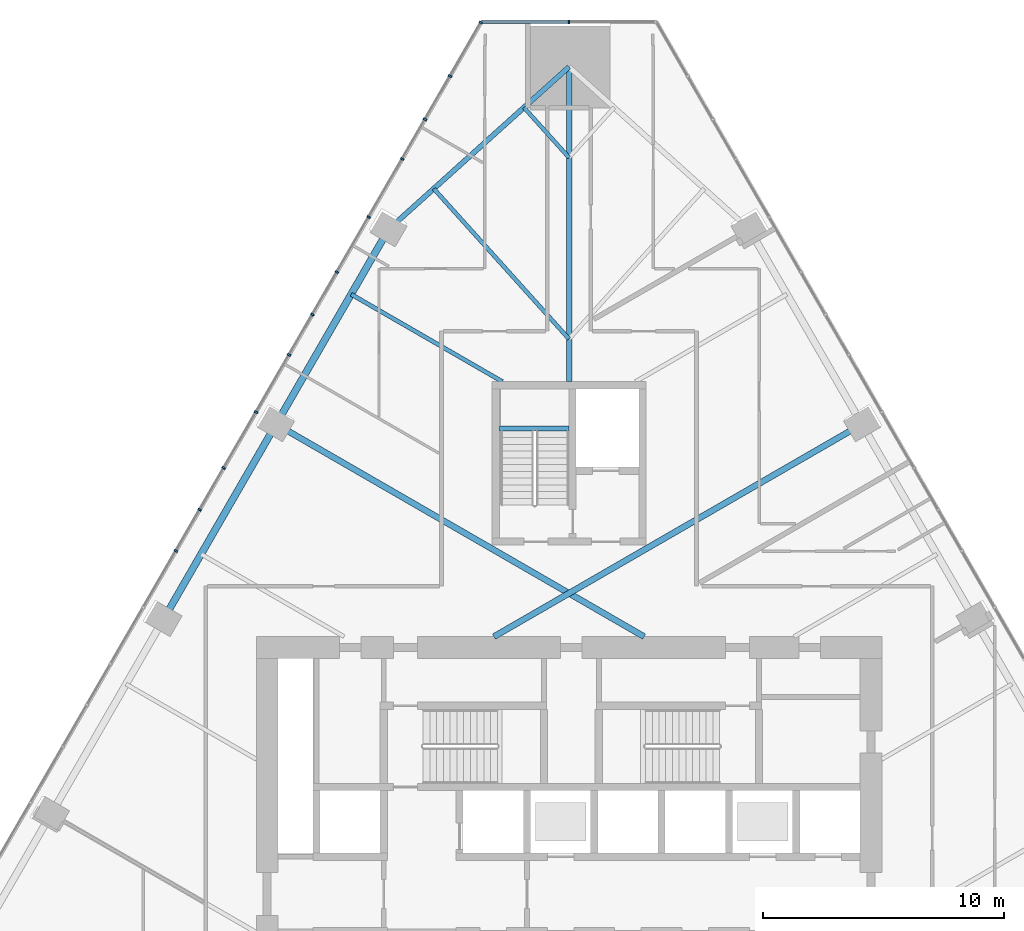
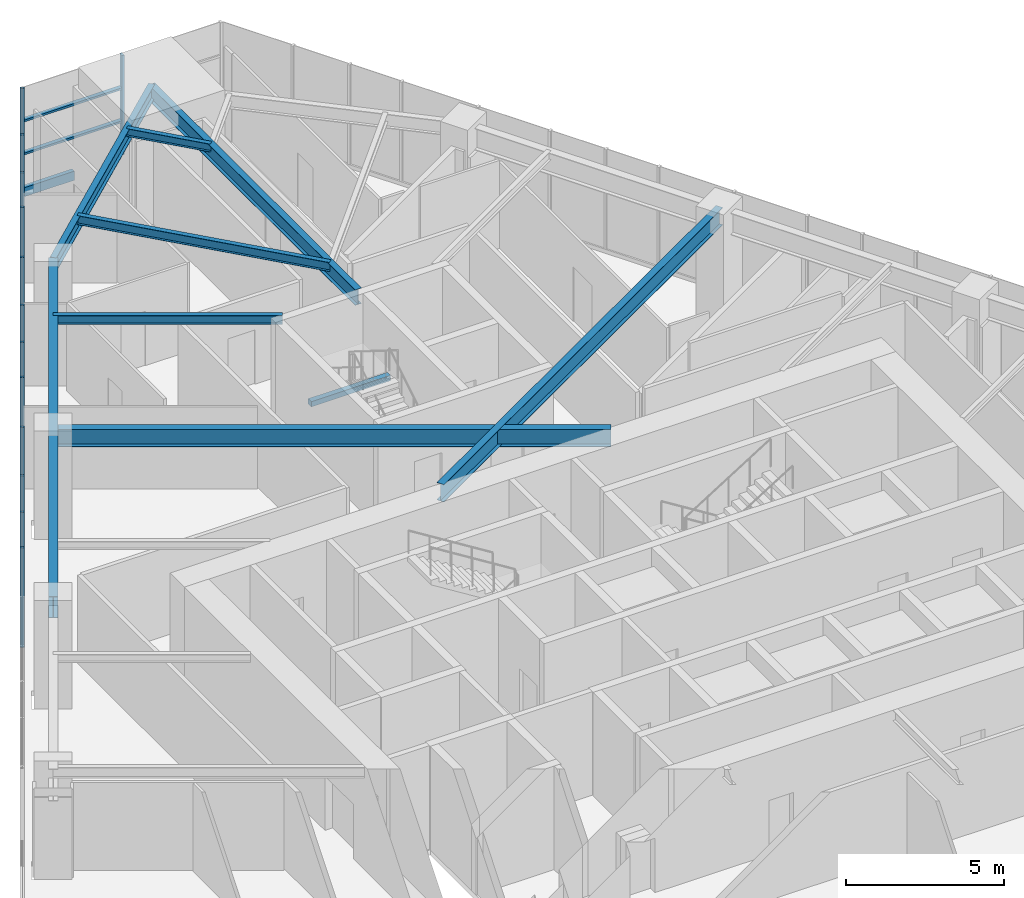
# One storey, part 9 of 19: 16 members, 9 beams, 2 elements without a shape of their own.
"""IFC4 building model written with IfcOpenShell, lengths in metres."""

from ifc_helpers import new_model, si_unit, direction, frame, origin, origin_2d, place, context, subcontext, project, spatial, rectangle, i_section, extrude, material, layer, layer_set, material_profile, profile_set, type_object, element, aggregate, save


model = new_model("IFC4")

# Units and contexts
model_context = context("Model", 3, precision=1e-05, world=origin(), true_north=direction((0.0, 1.0)))
body_context = subcontext(model_context, "Body", "Model", "MODEL_VIEW")
ifc_project = project(units=[si_unit("LENGTHUNIT", "METRE"), si_unit("AREAUNIT", "SQUARE_METRE"), si_unit("VOLUMEUNIT", "CUBIC_METRE"), si_unit("PLANEANGLEUNIT", "RADIAN"), si_unit("MASSUNIT", "GRAM", prefix="KILO")], contexts=[model_context])

# Site, building, storey
site_placement = place(None, origin())
site = spatial("IfcSite", under=ifc_project, at=site_placement, CompositionType="ELEMENT")
building_placement = place(site_placement, origin())
building = spatial("IfcBuilding", under=site, at=building_placement, Name="Firuza Gate Tower and Library", CompositionType="ELEMENT")
storey_placement = place(building_placement, frame((0.0, 0.0, 103.0)))
storey = spatial("IfcBuildingStorey", under=building, at=storey_placement, Name="L23", CompositionType="ELEMENT", Elevation=103.0)

# Curtain wall, member
ifc_material_1 = material(Name="Aluminium 6063-T6", Category="aluminium")
ifc_layer_1 = layer(ifc_material_1, 0.14990234375)
ifc_layer_set_1 = layer_set([ifc_layer_1], Name="Corner curtain wall, chamfers")
curtain_wall_type_1 = type_object("IfcCurtainWallType", Name="Corner curtain wall, chamfers", PredefinedType="NOTDEFINED", material=ifc_layer_set_1)
placement = place(storey_placement, origin())
curtain_wall_1 = element("IfcCurtainWall", 1, at=placement, inside=storey, type_object=curtain_wall_type_1, Name="CW4 L23 N corner", PredefinedType="NOTDEFINED")
ifc_material_2 = material(Name="Aluminium 6063-T6", Category="aluminium")
ifc_material_profile_1 = material_profile(ifc_material_2, rectangle(XDim=0.14990234375, YDim=0.080078125, at=origin_2d()))
ifc_profile_set_1 = profile_set([ifc_material_profile_1], Name="Aluminium 6063-T6")
member_type_1 = type_object("IfcMemberType", Name="Curtain wall mullion 80x150", PredefinedType="MULLION", material=ifc_profile_set_1)
member_1_placement = place(storey_placement, frame((75.0, 109.557373046875, 0.14990234375), z_axis=(0.0, 0.0, 1.0), x_axis=(0.0, -1.0, 0.0)))
member_1 = element("IfcMember", 2, at=member_1_placement, type_object=member_type_1, Name="Mullion", PredefinedType="MULLION", context=body_context, shape_type="SweptSolid", body=[
    extrude(rectangle(XDim=0.14990234375, YDim=0.080078125, at=origin_2d()), origin(), (0.0, 0.0, 1.0), 3.85009765625),
])

# Curtain wall, members
ifc_material_3 = material(Name="Aluminium 6063-T6", Category="aluminium")
ifc_layer_2 = layer(ifc_material_3, 0.14990234375)
ifc_layer_set_2 = layer_set([ifc_layer_2], Name="Unitised curtain wall, offices")
curtain_wall_type_2 = type_object("IfcCurtainWallType", Name="Unitised curtain wall, offices", PredefinedType="NOTDEFINED", material=ifc_layer_set_2)
curtain_wall_2 = element("IfcCurtainWall", 3, at=placement, inside=storey, type_object=curtain_wall_type_2, Name="CW1 L23 W face", PredefinedType="NOTDEFINED")
member_2_placement = place(storey_placement, frame((71.336669921875, 109.522705078125, 0.14990234375), z_axis=(0.0, 0.0, 1.0), x_axis=(0.866025403784, -0.5, 0.0)))
member_2 = element("IfcMember", 4, at=member_2_placement, type_object=member_type_1, Name="Mullion", PredefinedType="MULLION", context=body_context, shape_type="SweptSolid", body=[
    extrude(rectangle(XDim=0.14990234375, YDim=0.080078125, at=origin_2d()), origin(), (0.0, 0.0, 1.0), 3.85009765625),
])
member_3_placement = place(storey_placement, frame((69.0146484375, 105.500732421875, 0.14990234375), z_axis=(0.0, 0.0, 1.0), x_axis=(0.866025403784, -0.5, 0.0)))
member_3 = element("IfcMember", 5, at=member_3_placement, type_object=member_type_1, Name="Mullion", PredefinedType="MULLION", context=body_context, shape_type="SweptSolid", body=[
    extrude(rectangle(XDim=0.14990234375, YDim=0.080078125, at=origin_2d()), origin(), (0.0, 0.0, 1.0), 3.85009765625),
])
member_4_placement = place(storey_placement, frame((66.67236328125, 101.44384765625, 0.14990234375), z_axis=(0.0, 0.0, 1.0), x_axis=(0.866025403784, -0.5, 0.0)))
member_4 = element("IfcMember", 6, at=member_4_placement, type_object=member_type_1, Name="Mullion", PredefinedType="MULLION", context=body_context, shape_type="SweptSolid", body=[
    extrude(rectangle(XDim=0.14990234375, YDim=0.080078125, at=origin_2d()), origin(), (0.0, 0.0, 1.0), 3.85009765625),
])
member_5_placement = place(storey_placement, frame((64.330322265625, 97.38720703125, 0.14990234375), z_axis=(0.0, 0.0, 1.0), x_axis=(0.866025403784, -0.5, 0.0)))
member_5 = element("IfcMember", 7, at=member_5_placement, type_object=member_type_1, Name="Mullion", PredefinedType="MULLION", context=body_context, shape_type="SweptSolid", body=[
    extrude(rectangle(XDim=0.14990234375, YDim=0.080078125, at=origin_2d()), origin(), (0.0, 0.0, 1.0), 3.85009765625),
])
member_6_placement = place(storey_placement, frame((61.988037109375, 93.330322265625, 0.14990234375), z_axis=(0.0, 0.0, 1.0), x_axis=(0.866025403784, -0.5, 0.0)))
member_6 = element("IfcMember", 8, at=member_6_placement, type_object=member_type_1, Name="Mullion", PredefinedType="MULLION", context=body_context, shape_type="SweptSolid", body=[
    extrude(rectangle(XDim=0.14990234375, YDim=0.080078125, at=origin_2d()), origin(), (0.0, 0.0, 1.0), 3.85009765625),
])
member_7_placement = place(storey_placement, frame((59.64599609375, 89.273681640625, 0.14990234375), z_axis=(0.0, 0.0, 1.0), x_axis=(0.866025403784, -0.5, 0.0)))
member_7 = element("IfcMember", 9, at=member_7_placement, type_object=member_type_1, Name="Mullion", PredefinedType="MULLION", context=body_context, shape_type="SweptSolid", body=[
    extrude(rectangle(XDim=0.14990234375, YDim=0.080078125, at=origin_2d()), origin(), (0.0, 0.0, 1.0), 3.85009765625),
])
member_8_placement = place(storey_placement, frame((70.05224609375, 107.298095703125, 0.14990234375), z_axis=(0.0, 0.0, 1.0), x_axis=(0.866025403784, -0.5, 0.0)))
member_8 = element("IfcMember", 10, at=member_8_placement, type_object=member_type_1, Name="Mullion", PredefinedType="MULLION", context=body_context, shape_type="SweptSolid", body=[
    extrude(rectangle(XDim=0.14990234375, YDim=0.080078125, at=origin_2d()), origin(), (0.0, 0.0, 1.0), 3.85009765625),
])
member_9_placement = place(storey_placement, frame((68.0634765625, 103.853515625, 0.14990234375), z_axis=(0.0, 0.0, 1.0), x_axis=(0.866025403784, -0.5, 0.0)))
member_9 = element("IfcMember", 11, at=member_9_placement, type_object=member_type_1, Name="Mullion", PredefinedType="MULLION", context=body_context, shape_type="SweptSolid", body=[
    extrude(rectangle(XDim=0.14990234375, YDim=0.080078125, at=origin_2d()), origin(), (0.0, 0.0, 1.0), 3.85009765625),
])
member_10_placement = place(storey_placement, frame((65.3505859375, 99.154541015625, 0.14990234375), z_axis=(0.0, 0.0, 1.0), x_axis=(0.866025403784, -0.5, 0.0)))
member_10 = element("IfcMember", 12, at=member_10_placement, type_object=member_type_1, Name="Mullion", PredefinedType="MULLION", context=body_context, shape_type="SweptSolid", body=[
    extrude(rectangle(XDim=0.14990234375, YDim=0.080078125, at=origin_2d()), origin(), (0.0, 0.0, 1.0), 3.85009765625),
])
member_11_placement = place(storey_placement, frame((63.36181640625, 95.7099609375, 0.14990234375), z_axis=(0.0, 0.0, 1.0), x_axis=(0.866025403784, -0.5, 0.0)))
member_11 = element("IfcMember", 13, at=member_11_placement, type_object=member_type_1, Name="Mullion", PredefinedType="MULLION", context=body_context, shape_type="SweptSolid", body=[
    extrude(rectangle(XDim=0.14990234375, YDim=0.080078125, at=origin_2d()), origin(), (0.0, 0.0, 1.0), 3.85009765625),
])
member_12_placement = place(storey_placement, frame((60.64892578125, 91.010986328125, 0.14990234375), z_axis=(0.0, 0.0, 1.0), x_axis=(0.866025403784, -0.5, 0.0)))
member_12 = element("IfcMember", 14, at=member_12_placement, type_object=member_type_1, Name="Mullion", PredefinedType="MULLION", context=body_context, shape_type="SweptSolid", body=[
    extrude(rectangle(XDim=0.14990234375, YDim=0.080078125, at=origin_2d()), origin(), (0.0, 0.0, 1.0), 3.85009765625),
])
member_13_placement = place(storey_placement, frame((58.66015625, 87.56640625, 0.14990234375), z_axis=(0.0, 0.0, 1.0), x_axis=(0.866025403784, -0.5, 0.0)))
member_13 = element("IfcMember", 15, at=member_13_placement, type_object=member_type_1, Name="Mullion", PredefinedType="MULLION", context=body_context, shape_type="SweptSolid", body=[
    extrude(rectangle(XDim=0.14990234375, YDim=0.080078125, at=origin_2d()), origin(), (0.0, 0.0, 1.0), 3.85009765625),
])
aggregate(curtain_wall_2, [member_2, member_3, member_4, member_5, member_6, member_7, member_8, member_9, member_10, member_11, member_12, member_13])

# Member
ifc_material_4 = material(Name="Aluminium 6063-T6", Category="aluminium")
ifc_material_profile_2 = material_profile(ifc_material_4, rectangle(XDim=0.14990234375, YDim=0.35009765625, at=origin_2d()))
ifc_profile_set_2 = profile_set([ifc_material_profile_2], Name="Aluminium 6063-T6")
member_type_2 = type_object("IfcMemberType", Name="Curtain wall transom 350x150", PredefinedType="USERDEFINED", material=ifc_profile_set_2)
member_14_placement = place(storey_placement, frame((73.22021484375, 109.557373046875, -0.02490234375), z_axis=(-1.0, 0.0, 0.0), x_axis=(0.0, -1.0, 0.0)))
member_14 = element("IfcMember", 16, at=member_14_placement, type_object=member_type_2, Name="Transom", ObjectType="TRANSOM", PredefinedType="USERDEFINED", context=body_context, shape_type="SweptSolid", body=[
    extrude(rectangle(XDim=0.14990234375, YDim=0.35009765625, at=origin_2d()), origin(), (0.0, 0.0, 1.0), 1.863525390625),
])

ifc_material_5 = material(Name="Aluminium 6063-T6", Category="aluminium")
ifc_material_profile_3 = material_profile(ifc_material_5, rectangle(XDim=0.14990234375, YDim=0.080078125, at=origin_2d()))
ifc_profile_set_3 = profile_set([ifc_material_profile_3], Name="Aluminium 6063-T6")
member_type_3 = type_object("IfcMemberType", Name="Curtain wall transom 80x150", PredefinedType="USERDEFINED", material=ifc_profile_set_3)
member_15_placement = place(storey_placement, frame((74.9599609375, 109.557373046875, 1.449951171875), z_axis=(-1.0, 0.0, 0.0), x_axis=(0.0, -1.0, 0.0)))
member_15 = element("IfcMember", 17, at=member_15_placement, type_object=member_type_3, Name="Transom", ObjectType="TRANSOM", PredefinedType="USERDEFINED", context=body_context, shape_type="SweptSolid", body=[
    extrude(rectangle(XDim=0.14990234375, YDim=0.080078125, at=origin_2d()), origin(), (0.0, 0.0, 1.0), 3.563232421875),
])

member_16_placement = place(storey_placement, frame((74.9599609375, 109.557373046875, 2.72509765625), z_axis=(-1.0, 0.0, 0.0), x_axis=(0.0, -1.0, 0.0)))
member_16 = element("IfcMember", 18, at=member_16_placement, type_object=member_type_3, Name="Transom", ObjectType="TRANSOM", PredefinedType="USERDEFINED", context=body_context, shape_type="SweptSolid", body=[
    extrude(rectangle(XDim=0.14990234375, YDim=0.080078125, at=origin_2d()), origin(), (0.0, 0.0, 1.0), 3.563232421875),
])

aggregate(curtain_wall_1, [member_1, member_14, member_15, member_16])

# Beams
ifc_material_6 = material(Name="Concrete C35/45", Category="concrete")
ifc_material_profile_4 = material_profile(ifc_material_6, rectangle(XDim=0.199951171875, YDim=0.199951171875, at=origin_2d()))
ifc_profile_set_4 = profile_set([ifc_material_profile_4], Name="Concrete C35/45")
beam_type_1 = type_object("IfcBeamType", Name="Stair landing bearer 200x200", PredefinedType="BEAM", material=ifc_profile_set_4)
beam_1_placement = place(storey_placement, frame((75.0, 92.64990234375, 1.800048828125), z_axis=(-1.0, 0.0, 0.0), x_axis=(0.0, -1.0, 0.0)))
element("IfcBeam", 19, at=beam_1_placement, inside=storey, type_object=beam_type_1, Name="Landing bearer L23 stair 3", PredefinedType="BEAM", context=body_context, shape_type="SweptSolid", body=[
    extrude(rectangle(XDim=0.199951171875, YDim=0.199951171875, at=origin_2d()), origin(), (0.0, 0.0, 1.0), 2.89990234375),
])
ifc_material_7 = material(Name="Steel S355", Category="steel")
ifc_material_profile_5 = material_profile(ifc_material_7, i_section(OverallWidth=0.1650390625, OverallDepth=0.31005859375, WebThickness=0.005859375, FlangeThickness=0.009765625, at=origin_2d()))
ifc_profile_set_5 = profile_set([ifc_material_profile_5], Name="Steel S355")
beam_type_2 = type_object("IfcBeamType", Name="W310x39 Floor beam", PredefinedType="JOIST", material=ifc_profile_set_5)
beam_2_placement = place(storey_placement, frame((73.12548828125, 105.99462890625, 3.844970703125), z_axis=(0.669142865717, -0.743133786919, 0.0), x_axis=(0.743133786919, 0.669142865717, 0.0)))
element("IfcBeam", 20, at=beam_2_placement, inside=storey, type_object=beam_type_2, Name="Floor beam L23 s70", PredefinedType="JOIST", context=body_context, shape_type="SweptSolid", body=[
    extrude(i_section(OverallWidth=0.1650390625, OverallDepth=0.31005859375, WebThickness=0.005859375, FlangeThickness=0.009765625, at=origin_2d()), origin(), (0.0, 0.0, 1.0), 2.80126953125),
])
ifc_material_8 = material(Name="Steel S355", Category="steel")
ifc_material_profile_6 = material_profile(ifc_material_8, i_section(OverallWidth=0.1708984375, OverallDepth=0.35498046875, WebThickness=0.007080078125, FlangeThickness=0.01171875, at=origin_2d()))
ifc_profile_set_6 = profile_set([ifc_material_profile_6], Name="Steel S355")
beam_type_3 = type_object("IfcBeamType", Name="W360x51 Floor beam", PredefinedType="JOIST", material=ifc_profile_set_6)
beam_3_placement = place(storey_placement, frame((69.376708984375, 102.619140625, 3.822509765625), z_axis=(0.669141268318, -0.743135225267, 0.0), x_axis=(0.743135225267, 0.669141268318, 0.0)))
element("IfcBeam", 21, at=beam_3_placement, inside=storey, type_object=beam_type_3, Name="Floor beam L23 s71", PredefinedType="JOIST", context=body_context, shape_type="SweptSolid", body=[
    extrude(i_section(OverallWidth=0.1708984375, OverallDepth=0.35498046875, WebThickness=0.007080078125, FlangeThickness=0.01171875, at=origin_2d()), origin(), (0.0, 0.0, 1.0), 8.40380859375),
])
beam_4_placement = place(storey_placement, frame((65.943359375, 98.231201171875, 3.822509765625), z_axis=(0.866018750047, -0.500011524435, 0.0), x_axis=(0.500011524435, 0.866018750047, 0.0)))
element("IfcBeam", 22, at=beam_4_placement, inside=storey, type_object=beam_type_3, Name="Floor beam L23 s80", PredefinedType="JOIST", context=body_context, shape_type="SweptSolid", body=[
    extrude(i_section(OverallWidth=0.1708984375, OverallDepth=0.35498046875, WebThickness=0.007080078125, FlangeThickness=0.01171875, at=origin_2d()), origin(), (0.0, 0.0, 1.0), 7.261962890625),
])
ifc_material_9 = material(Name="Steel S355", Category="steel")
ifc_material_profile_7 = material_profile(ifc_material_9, i_section(OverallWidth=0.212890625, OverallDepth=0.5390625, WebThickness=0.01171875, FlangeThickness=0.018798828125, at=origin_2d()))
ifc_profile_set_7 = profile_set([ifc_material_profile_7], Name="Steel S355")
beam_type_4 = type_object("IfcBeamType", Name="W530x109 Edge beam", PredefinedType="SPANDREL", material=ifc_profile_set_7)
beam_5_placement = place(storey_placement, frame((75.0, 107.682373046875, 3.73046875), z_axis=(-0.743148538836, -0.669126482234, 0.0), x_axis=(0.669126482234, -0.743148538836, 0.0)))
element("IfcBeam", 23, at=beam_5_placement, inside=storey, type_object=beam_type_4, Name="Edge beam L23 e70", PredefinedType="SPANDREL", context=body_context, shape_type="SweptSolid", body=[
    extrude(i_section(OverallWidth=0.212890625, OverallDepth=0.5390625, WebThickness=0.01171875, FlangeThickness=0.018798828125, at=origin_2d()), origin(), (0.0, 0.0, 1.0), 10.08935546875),
])
ifc_material_10 = material(Name="Steel S355", Category="steel")
ifc_material_profile_8 = material_profile(ifc_material_10, i_section(OverallWidth=0.22802734375, OverallDepth=0.60302734375, WebThickness=0.010498046875, FlangeThickness=0.014892578125, at=origin_2d()))
ifc_profile_set_8 = profile_set([ifc_material_profile_8], Name="Steel S355")
beam_type_5 = type_object("IfcBeamType", Name="W610x101 Girder", PredefinedType="BEAM", material=ifc_profile_set_8)
beam_6_placement = place(storey_placement, frame((75.0, 107.682373046875, 3.698486328125), z_axis=(0.0, -1.0, 0.0), x_axis=(1.0, 0.0, 0.0)))
element("IfcBeam", 24, at=beam_6_placement, inside=storey, type_object=beam_type_5, Name="Girder L23 gN", PredefinedType="BEAM", context=body_context, shape_type="SweptSolid", body=[
    extrude(i_section(OverallWidth=0.22802734375, OverallDepth=0.60302734375, WebThickness=0.010498046875, FlangeThickness=0.014892578125, at=origin_2d()), origin(), (0.0, 0.0, 1.0), 13.082275390625),
])
ifc_material_11 = material(Name="Steel S355", Category="steel")
ifc_material_profile_9 = material_profile(ifc_material_11, i_section(OverallWidth=0.2529296875, OverallDepth=0.677978515625, WebThickness=0.01171875, FlangeThickness=0.016357421875, at=origin_2d()))
ifc_profile_set_9 = profile_set([ifc_material_profile_9], Name="Steel S355")
beam_type_6 = type_object("IfcBeamType", Name="W690x125 Floor beam", PredefinedType="JOIST", material=ifc_profile_set_9)
for number, where, z_axis, x_axis, name in (
    (25, (87.1748046875, 92.830322265625, 3.660888671875), (-0.866026973973, -0.499997280343, 0.0), (0.499997280343, -0.866026973973, 0.0), "Floor beam L23 s54"),
    (26, (62.8251953125, 92.830322265625, 3.660888671875), (0.866026973973, -0.499997280343, 0.0), (0.499997280343, 0.866026973973, 0.0), "Floor beam L23 s81"),
):
    element("IfcBeam", number, at=place(storey_placement, frame(where, z_axis=z_axis, x_axis=x_axis)), inside=storey, type_object=beam_type_6, Name=name, PredefinedType="JOIST", context=body_context, shape_type="SweptSolid", body=[
        extrude(i_section(OverallWidth=0.2529296875, OverallDepth=0.677978515625, WebThickness=0.01171875, FlangeThickness=0.016357421875, at=origin_2d()), origin(), (0.0, 0.0, 1.0), 17.66064453125),
    ])
ifc_material_12 = material(Name="Steel S355", Category="steel")
ifc_material_profile_10 = material_profile(ifc_material_12, i_section(OverallWidth=0.2919921875, OverallDepth=0.8349609375, WebThickness=0.013916015625, FlangeThickness=0.018798828125, at=origin_2d()))
ifc_profile_set_10 = profile_set([ifc_material_profile_10], Name="Steel S355")
beam_type_7 = type_object("IfcBeamType", Name="W840x176 Edge beam", PredefinedType="SPANDREL", material=ifc_profile_set_10)
beam_7_placement = place(storey_placement, frame((67.502197265625, 100.931396484375, 3.58251953125), z_axis=(-0.499993188785, -0.866029336205, 0.0), x_axis=(0.866029336205, -0.499993188785, 0.0)))
element("IfcBeam", 27, at=beam_7_placement, inside=storey, type_object=beam_type_7, Name="Edge beam L23 e80", PredefinedType="SPANDREL", context=body_context, shape_type="SweptSolid", body=[
    extrude(i_section(OverallWidth=0.2919921875, OverallDepth=0.8349609375, WebThickness=0.013916015625, FlangeThickness=0.018798828125, at=origin_2d()), origin(), (0.0, 0.0, 1.0), 18.708251953125),
])

save(model, "model.ifc")
